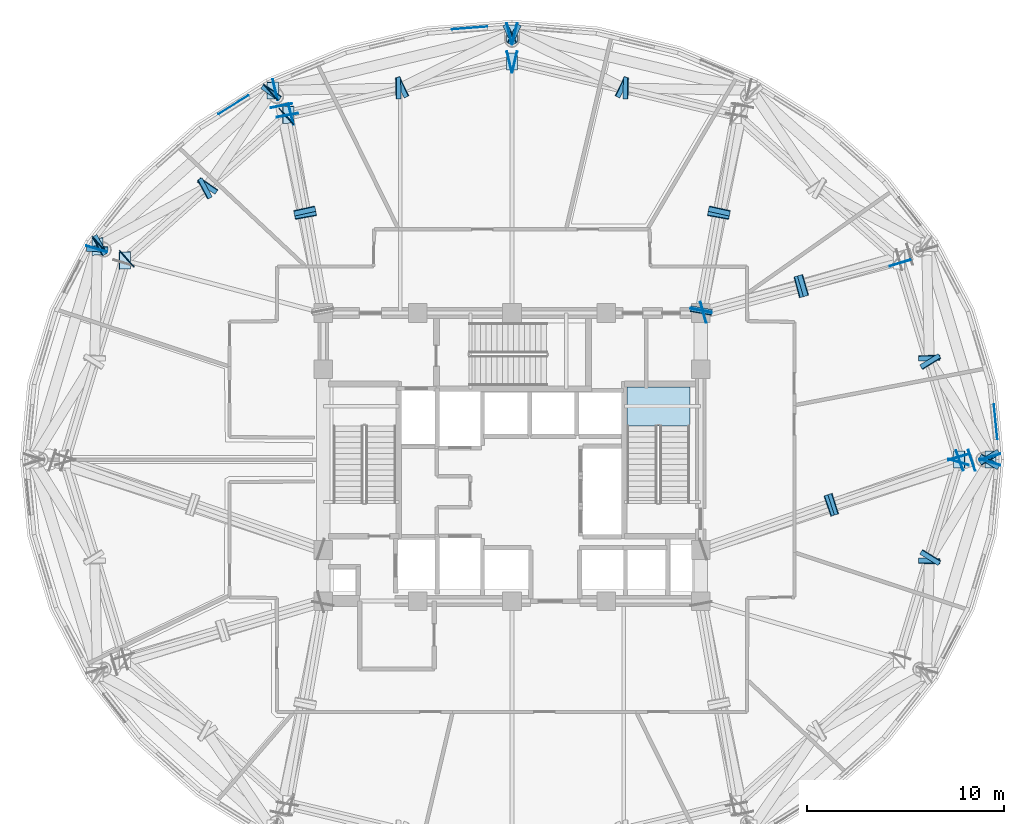
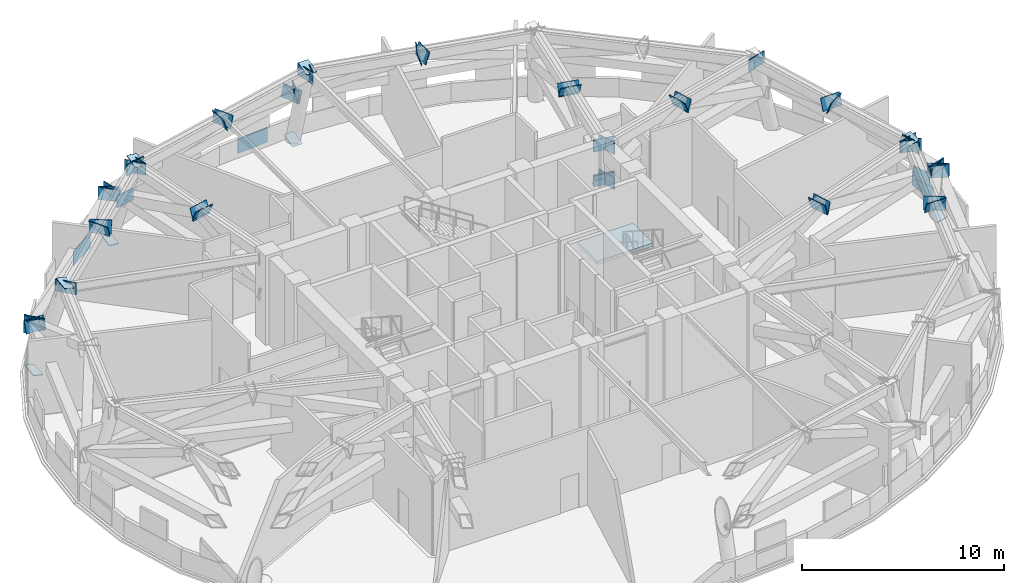
# One storey, part 5 of 13: 61 plates, 1 slab, 1 element without a shape of its own.
"""IFC4 building model written with IfcOpenShell, lengths in metres."""

import ifcopenshell
import ifcopenshell.guid

model = None  # the IFC model being written
_history = None  # IfcOwnerHistory: only IFC2X3 demands one
_inside = {}  # id of a spatial element -> (the spatial element, [elements in it])
_under = {}  # id of a project, library or spatial element -> (it, [spatial elements below it])
_declared = {}  # id of a project -> (the project, [libraries it declares])
_typed = {}  # id of a type object -> (the type object, [elements of that type])
_made_of = {}  # id of a material, layer set ... -> (it, [elements and type objects made of it])


def new_model(schema):
    """Start an empty IFC model of exactly this schema.

    Asked for "IFC4X3", IfcOpenShell would pick the latest addendum, in which some entities
    have other attributes; the version numbers below select the first issue.
    IFC2X3 requires an IfcOwnerHistory on every rooted entity: one is made here for all.
    """
    global model, _history
    if schema == "IFC4X3":
        model = ifcopenshell.file(schema_version=(4, 3, 0, 0))
    else:
        model = ifcopenshell.file(schema=schema)
    _inside.clear()
    _under.clear()
    _declared.clear()
    _typed.clear()
    _made_of.clear()
    _history = None
    if model.schema == "IFC2X3":
        org = make("IfcOrganization", Name="unknown")
        user = make(
            "IfcPersonAndOrganization",
            ThePerson=make("IfcPerson", FamilyName="unknown"),
            TheOrganization=org,
        )
        app = make(
            "IfcApplication",
            ApplicationDeveloper=org,
            Version="unknown",
            ApplicationFullName="unknown",
            ApplicationIdentifier="unknown",
        )
        _history = make(
            "IfcOwnerHistory",
            OwningUser=user,
            OwningApplication=app,
            ChangeAction="ADDED",
            CreationDate=0,
        )
    return model


def make(cls, **values):
    """One entity of the class cls with the attributes given. An attribute that is None is left unset."""
    return model.create_entity(
        cls, **{name: value for name, value in values.items() if value is not None}
    )


def rooted(cls, **values):
    """An entity with a GlobalId (a new one), such as an element, a storey or a relation."""
    return make(cls, GlobalId=ifcopenshell.guid.new(), OwnerHistory=_history, **values)


def si_unit(unit_type, name, prefix=None):
    """IfcSIUnit, for example si_unit("LENGTHUNIT", "METRE", prefix="MILLI")."""
    return make("IfcSIUnit", UnitType=unit_type, Prefix=prefix, Name=name)


def assignment(units):
    """IfcUnitAssignment: the units of a project."""
    return None if units is None else make("IfcUnitAssignment", Units=units)


def point(xyz):
    """IfcCartesianPoint."""
    return None if xyz is None else make("IfcCartesianPoint", Coordinates=xyz)


def direction(xyz):
    """IfcDirection."""
    return None if xyz is None else make("IfcDirection", DirectionRatios=xyz)


def frame(location, z_axis=None, x_axis=None):
    """IfcAxis2Placement3D, a coordinate frame: its origin and axes. An axis left out is left unset."""
    return make(
        "IfcAxis2Placement3D",
        Location=point(location),
        Axis=direction(z_axis),
        RefDirection=direction(x_axis),
    )


def frame_2d(location, x_axis=None):
    """IfcAxis2Placement2D, a coordinate frame in the plane: its origin and x axis."""
    return make(
        "IfcAxis2Placement2D", Location=point(location), RefDirection=direction(x_axis)
    )


def origin():
    """The frame at (0, 0, 0) with its axes left unset."""
    return frame((0.0, 0.0, 0.0))


def origin_2d():
    """The frame at (0, 0) in the plane with its x axis left unset."""
    return frame_2d((0.0, 0.0))


def place(relative_to, where):
    """IfcLocalPlacement: puts the frame where relative to a parent placement (None: the world)."""
    return make(
        "IfcLocalPlacement", PlacementRelTo=relative_to, RelativePlacement=where
    )


def context(
    kind, dimensions, precision=None, world=None, true_north=None, identifier=None
):
    """IfcGeometricRepresentationContext, for example the 3D "Model" context."""
    return make(
        "IfcGeometricRepresentationContext",
        ContextIdentifier=identifier,
        ContextType=kind,
        CoordinateSpaceDimension=dimensions,
        Precision=precision,
        WorldCoordinateSystem=world,
        TrueNorth=true_north,
    )


def subcontext(parent, identifier, kind, view, scale=None):
    """IfcGeometricRepresentationSubContext, for example "Body" below "Model"."""
    return make(
        "IfcGeometricRepresentationSubContext",
        ContextIdentifier=identifier,
        ContextType=kind,
        ParentContext=parent,
        TargetScale=scale,
        TargetView=view,
    )


def project(units=None, contexts=None):
    """IfcProject with its units and contexts."""
    return rooted(
        "IfcProject",
        Name="project",
        RepresentationContexts=contexts,
        UnitsInContext=assignment(units),
    )


def spatial(cls, under=None, at=None, **own):
    """A site, building, storey or space (cls), placed at a placement, below another one or the project."""
    s = rooted(cls, ObjectPlacement=at, **own)
    if under is not None:
        _under.setdefault(under.id(), (under, []))[1].append(s)
    return s


def polyline(points):
    """IfcPolyline through the points."""
    return make("IfcPolyline", Points=[point(p) for p in points])


def profile(cls, at=None, kind="AREA", **sizes):
    """A parametric profile (cls). Its sizes go by their IFC names, for example OverallWidth=200.0."""
    return make(cls, ProfileType=kind, Position=at, **sizes)


def rectangle(**sizes):
    """IfcRectangleProfileDef."""
    return profile("IfcRectangleProfileDef", **sizes)


def outline(outer, holes=None, kind="AREA"):
    """IfcArbitraryClosedProfileDef: a profile drawn as a closed curve; with holes, ...WithVoids."""
    if holes is None:
        return make("IfcArbitraryClosedProfileDef", ProfileType=kind, OuterCurve=outer)
    return make(
        "IfcArbitraryProfileDefWithVoids",
        ProfileType=kind,
        OuterCurve=outer,
        InnerCurves=holes,
    )


def extrude(swept, where, along, depth):
    """IfcExtrudedAreaSolid: the profile swept, set in the frame where, extruded along a direction by depth."""
    return make(
        "IfcExtrudedAreaSolid",
        SweptArea=swept,
        Position=where,
        ExtrudedDirection=direction(along),
        Depth=depth,
    )


def shape(context_of_items, identifier, shape_type, items):
    """IfcShapeRepresentation: the items that make up one representation, for example the "Body"."""
    return make(
        "IfcShapeRepresentation",
        ContextOfItems=context_of_items,
        RepresentationIdentifier=identifier,
        RepresentationType=shape_type,
        Items=items,
    )


def material(Name=None, Category=None):
    """IfcMaterial."""
    return make("IfcMaterial", Name=Name, Category=Category)


def layer(
    of_material, thickness, ventilated=None, Name=None, Category=None, Priority=None
):
    """IfcMaterialLayer: one layer of a wall or slab, of a material (None: an air gap)."""
    return make(
        "IfcMaterialLayer",
        Material=of_material,
        LayerThickness=thickness,
        IsVentilated=ventilated,
        Name=Name,
        Category=Category,
        Priority=Priority,
    )


def layer_set(layers, Name=None):
    """IfcMaterialLayerSet."""
    return make("IfcMaterialLayerSet", MaterialLayers=layers, LayerSetName=Name)


def made_of(thing, what):
    """Note that an element or type object is made of a material, layer set ...; save() writes the relation."""
    if what is not None:
        _made_of.setdefault(what.id(), (what, []))[1].append(thing)
    return thing


def type_object(cls, material=None, **own):
    """A type object (cls), such as IfcWallType, which elements share."""
    return made_of(rooted(cls, **own), material)


def element(
    cls,
    number,
    at=None,
    inside=None,
    cuts=None,
    type_object=None,
    material=None,
    context=None,
    identifier="Body",
    shape_type=None,
    held_by="IfcProductDefinitionShape",
    body=None,
    shapes=None,
    **own,
):
    """One element of the class cls, such as IfcWall. Its Tag is "e" and its number.

    at: its placement. inside: the storey or other place that contains it. cuts: it is an
    opening in that element (IfcRelVoidsElement). A single representation is given by context,
    identifier, shape_type and body (its items); several are given by shapes. held_by: the class
    of the entity that holds the representations. save() writes the other relations.
    """
    e = rooted(cls, Tag="e%d" % number, ObjectPlacement=at, **own)
    if body is not None:
        shapes = [shape(context, identifier, shape_type, body)]
    if shapes is not None:
        e.Representation = make(held_by, Representations=shapes)
    if inside is not None:
        _inside.setdefault(inside.id(), (inside, []))[1].append(e)
    if cuts is not None:
        rooted(
            "IfcRelVoidsElement", RelatingBuildingElement=cuts, RelatedOpeningElement=e
        )
    if type_object is not None:
        _typed.setdefault(type_object.id(), (type_object, []))[1].append(e)
    return made_of(e, material)


def aggregate(whole, parts):
    """IfcRelAggregates: a whole, such as a stair, and the parts it consists of."""
    return rooted("IfcRelAggregates", RelatingObject=whole, RelatedObjects=parts)


def save(model, path):
    """Write the relations noted so far, then the file.

    IfcRelAggregates (storeys below a building ...), IfcRelContainedInSpatialStructure (elements
    in a storey), IfcRelDefinesByType, IfcRelAssociatesMaterial and IfcRelDeclares: one each for
    every whole, place, type object, material and project.
    """
    for whole, parts in _under.values():
        aggregate(whole, parts)
    for where, things in _inside.values():
        rooted(
            "IfcRelContainedInSpatialStructure",
            RelatedElements=things,
            RelatingStructure=where,
        )
    for kind, things in _typed.values():
        rooted("IfcRelDefinesByType", RelatedObjects=things, RelatingType=kind)
    for what, things in _made_of.values():
        rooted("IfcRelAssociatesMaterial", RelatedObjects=things, RelatingMaterial=what)
    for by, libraries in _declared.values():
        rooted("IfcRelDeclares", RelatingContext=by, RelatedDefinitions=libraries)
    model.write(path)


model = new_model("IFC4")

# Units and contexts
model_context = context("Model", 3, precision=1e-05, world=origin(), true_north=direction((0.0, 1.0)))
body_context = subcontext(model_context, "Body", "Model", "MODEL_VIEW")
ifc_project = project(units=[si_unit("LENGTHUNIT", "METRE"), si_unit("AREAUNIT", "SQUARE_METRE"), si_unit("VOLUMEUNIT", "CUBIC_METRE"), si_unit("PLANEANGLEUNIT", "RADIAN"), si_unit("MASSUNIT", "GRAM", prefix="KILO")], contexts=[model_context])

# Site, building, storey
site_placement = place(None, origin())
site = spatial("IfcSite", under=ifc_project, at=site_placement, CompositionType="ELEMENT")
building_placement = place(site_placement, origin())
building = spatial("IfcBuilding", under=site, at=building_placement, Name="Vantalir Tower", CompositionType="ELEMENT")
storey_placement = place(building_placement, frame((0.0, 0.0, 175.949951171875)))
storey = spatial("IfcBuildingStorey", under=building, at=storey_placement, Name="L44", CompositionType="ELEMENT", Elevation=175.949951171875)

# Plates
ifc_material_1 = material(Name="Steel S460", Category="steel")
ifc_layer_1 = layer(ifc_material_1, 0.044921875)
ifc_layer_set_1 = layer_set([ifc_layer_1], Name="Steel S460")
plate_type_1 = type_object("IfcPlateType", Name="PLT-BN-01", PredefinedType="USERDEFINED", material=ifc_layer_set_1)
for number, where, z_axis, x_axis, name in (
    (1, (55.81103515625, 25.12890625, 2.4599609375), (0.0, 0.0, 1.0), (-0.28812941634, 0.957591478366, 0.0), "Node Cap Plate MEM-L44-BTCB-01 Start"),
    (2, (54.2109375, 25.12890625, 4.56005859375), (0.0, 0.0, 1.0), (-0.288212980863, 0.957566330685, 0.0), "Node Cap Plate MEM-L44-BTCT-01 Start"),
    (3, (51.240966796875, 34.998046875, 4.56005859375), (0.0, 0.0, 1.0), (-0.288212980863, 0.957566330685, 0.0), "Node Cap Plate MEM-L44-BTCT-01 End"),
):
    element("IfcPlate", number, at=place(storey_placement, frame(where, z_axis=z_axis, x_axis=x_axis)), inside=storey, type_object=plate_type_1, Name=name, ObjectType="FLANGE_PLATE", PredefinedType="USERDEFINED", context=body_context, shape_type="SweptSolid", body=[
        extrude(rectangle(XDim=0.044921875, YDim=1.10009765625, at=origin_2d()), origin(), (0.0, 0.0, 1.0), 0.719970703125),
    ])
plate_1_placement = place(storey_placement, frame((56.177001953125, 25.517578125, 2.533203125), z_axis=(-0.495188348864, 0.802535808842, 0.332753324064), x_axis=(-0.851036235022, -0.525106966574, -1.8283502e-05)))
element("IfcPlate", 4, at=plate_1_placement, inside=storey, type_object=plate_type_1, Name="Node Cap Plate MEM-L44-BTDG-01A Start", ObjectType="FLANGE_PLATE", PredefinedType="USERDEFINED", context=body_context, shape_type="SweptSolid", body=[
    extrude(outline(polyline([(0.0, 0.0), (1.1001286729065263, -5.551115123125783e-17), (1.0999525921931022, 0.7200054904000449), (3.1691804891720215e-05, 0.7199628350251789), (0.0, 0.0)])), origin(), (0.0, 0.0, -1.0), 0.044921875),
])
plate_2_placement = place(storey_placement, frame((53.17236328125, 30.3876953125, 4.552978515625), z_axis=(-0.495056684351, 0.802596653767, 0.332802479922), x_axis=(-0.851107533631, -0.524991395471, 2.9638108e-05)))
element("IfcPlate", 5, at=plate_2_placement, inside=storey, type_object=plate_type_1, Name="Node Cap Plate MEM-L44-BTDG-01A End", ObjectType="FLANGE_PLATE", PredefinedType="USERDEFINED", context=body_context, shape_type="SweptSolid", body=[
    extrude(outline(polyline([(0.0, 0.0), (1.100128670204653, 2.7755575615628914e-17), (1.1001603740561126, 0.7199628308960906), (0.0001598755788691206, 0.720031980316337), (0.0, 0.0)])), origin(), (0.0, 0.0, -1.0), 0.044921875),
])
plate_3_placement = place(storey_placement, frame((52.17724609375, 30.00537109375, 4.553466796875), z_axis=(0.022529450155, -0.939561513886, 0.341638091406), x_axis=(0.999712635233, 0.023971794983, 0.0)))
element("IfcPlate", 6, at=plate_3_placement, inside=storey, type_object=plate_type_1, Name="Node Cap Plate MEM-L44-BTDG-01B End", ObjectType="FLANGE_PLATE", PredefinedType="USERDEFINED", context=body_context, shape_type="SweptSolid", body=[
    extrude(outline(polyline([(0.0, 0.0), (1.0999254548216215, 1.734723475976807e-18), (1.0999612200322357, 0.7198243602851153), (3.57652106143299e-05, 0.7198243602851153), (0.0, 0.0)])), origin(), (0.0, 0.0, -1.0), 0.044921875),
])
for number, where, z_axis, x_axis, name in (
    (7, (31.631103515625, 46.65087890625, 2.4599609375), (0.0, 0.0, 1.0), (-0.972694923667, 0.232087452208, 0.0), "Node Cap Plate MEM-L44-BTCB-03 End"),
    (8, (31.631103515625, 45.222900390625, 4.56005859375), (0.0, 0.0, 1.0), (-0.972694923667, 0.232087452208, 0.0), "Node Cap Plate MEM-L44-BTCT-03 End"),
):
    element("IfcPlate", number, at=place(storey_placement, frame(where, z_axis=z_axis, x_axis=x_axis)), inside=storey, type_object=plate_type_1, Name=name, ObjectType="FLANGE_PLATE", PredefinedType="USERDEFINED", context=body_context, shape_type="SweptSolid", body=[
        extrude(rectangle(XDim=0.044921875, YDim=1.10009765625, at=origin_2d()), origin(), (0.0, 0.0, 1.0), 0.719970703125),
    ])
plate_4_placement = place(storey_placement, frame((37.165771484375, 44.447509765625, 4.552001953125), z_axis=(-0.951249757487, 0.017525800193, 0.307923278119), x_axis=(-0.018420847216, -0.999830321799, 0.0)))
element("IfcPlate", 9, at=plate_4_placement, inside=storey, type_object=plate_type_1, Name="Node Cap Plate MEM-L44-BTDG-03A End", ObjectType="FLANGE_PLATE", PredefinedType="USERDEFINED", context=body_context, shape_type="SweptSolid", body=[
    extrude(outline(polyline([(0.0, 0.0), (1.1000401684622838, 8.673617379884035e-19), (1.10010632720208, 0.7200447083939903), (6.615873979627911e-05, 0.7200447083939903), (0.0, 0.0)])), origin(), (0.0, 0.0, -1.0), 0.044921875),
])
plate_5_placement = place(storey_placement, frame((31.49462890625, 46.072265625, 2.528076171875), z_axis=(0.85245090665, -0.417430241326, 0.314768876125), x_axis=(0.439780725285, 0.898105179496, 1.5197871e-05)))
element("IfcPlate", 10, at=plate_5_placement, inside=storey, type_object=plate_type_1, Name="Node Cap Plate MEM-L44-BTDG-03B Start", ObjectType="FLANGE_PLATE", PredefinedType="USERDEFINED", context=body_context, shape_type="SweptSolid", body=[
    extrude(outline(polyline([(0.0, 0.0), (1.0998386652902303, 0.0), (1.100090182158179, 0.7199280203558638), (-7.511543302310998e-05, 0.719963246325796), (0.0, 0.0)])), origin(), (0.0, 0.0, -1.0), 0.044921875),
])
plate_6_placement = place(storey_placement, frame((36.9765625, 43.387939453125, 4.55224609375), z_axis=(0.8524505382, -0.417481646427, 0.314701691794), x_axis=(0.439837951406, 0.898077154601, -2.9771927e-05)))
element("IfcPlate", 11, at=plate_6_placement, inside=storey, type_object=plate_type_1, Name="Node Cap Plate MEM-L44-BTDG-03B End", ObjectType="FLANGE_PLATE", PredefinedType="USERDEFINED", context=body_context, shape_type="SweptSolid", body=[
    extrude(outline(polyline([(0.0, 0.0), (1.0999460417976532, 0.0), (1.0998257527306279, 0.7199632346339168), (-1.2906754670210561e-05, 0.7198942370824807), (0.0, 0.0)])), origin(), (0.0, 0.0, -1.0), 0.044921875),
])
for number, where, z_axis, x_axis, name in (
    (12, (31.368896484375, 46.65087890625, 2.4599609375), (0.0, 0.0, 1.0), (-0.972694923667, -0.232087452208, 0.0), "Node Cap Plate MEM-L44-BTCB-04 Start"),
    (13, (19.4560546875, 43.80810546875, 2.4599609375), (0.0, 0.0, 1.0), (-0.972694923667, -0.232087452208, 0.0), "Node Cap Plate MEM-L44-BTCB-04 End"),
    (14, (31.368896484375, 45.222900390625, 4.56005859375), (0.0, 0.0, 1.0), (-0.972694923667, -0.232087452208, 0.0), "Node Cap Plate MEM-L44-BTCT-04 Start"),
    (15, (20.256103515625, 42.571044921875, 4.56005859375), (0.0, 0.0, 1.0), (-0.972694923667, -0.232087452208, 0.0), "Node Cap Plate MEM-L44-BTCT-04 End"),
):
    element("IfcPlate", number, at=place(storey_placement, frame(where, z_axis=z_axis, x_axis=x_axis)), inside=storey, type_object=plate_type_1, Name=name, ObjectType="FLANGE_PLATE", PredefinedType="USERDEFINED", context=body_context, shape_type="SweptSolid", body=[
        extrude(rectangle(XDim=0.044921875, YDim=1.10009765625, at=origin_2d()), origin(), (0.0, 0.0, 1.0), 0.719970703125),
    ])
plate_7_placement = place(storey_placement, frame((31.021728515625, 47.06005859375, 2.528076171875), z_axis=(-0.85245090665, -0.417430241326, 0.314768876125), x_axis=(0.439780725285, -0.898105179496, -1.5197871e-05)))
element("IfcPlate", 16, at=plate_7_placement, inside=storey, type_object=plate_type_1, Name="Node Cap Plate MEM-L44-BTDG-04A Start", ObjectType="FLANGE_PLATE", PredefinedType="USERDEFINED", context=body_context, shape_type="SweptSolid", body=[
    extrude(outline(polyline([(0.0, 0.0), (1.0998386652902303, 0.0), (1.0999137807232535, 0.7199632463257959), (-0.0002515168679487558, 0.7199280203558638), (0.0, 0.0)])), origin(), (0.0, 0.0, -1.0), 0.044921875),
])
plate_8_placement = place(storey_placement, frame((25.53955078125, 44.375732421875, 4.55224609375), z_axis=(-0.8524505382, -0.417481646427, 0.314701691794), x_axis=(0.439837951406, -0.898077154601, 2.9771927e-05)))
element("IfcPlate", 17, at=plate_8_placement, inside=storey, type_object=plate_type_1, Name="Node Cap Plate MEM-L44-BTDG-04A End", ObjectType="FLANGE_PLATE", PredefinedType="USERDEFINED", context=body_context, shape_type="SweptSolid", body=[
    extrude(outline(polyline([(0.0, 0.0), (1.0999460417976532, 0.0), (1.0999589485523236, 0.7198942370824807), (0.00012028906702524438, 0.7199632346339168), (0.0, 0.0)])), origin(), (0.0, 0.0, -1.0), 0.044921875),
])
plate_9_placement = place(storey_placement, frame((25.8544921875, 43.34765625, 4.552001953125), z_axis=(0.951249757487, 0.017525800193, 0.307923278119), x_axis=(-0.018420847216, 0.999830321799, 0.0)))
element("IfcPlate", 18, at=plate_9_placement, inside=storey, type_object=plate_type_1, Name="Node Cap Plate MEM-L44-BTDG-04B End", ObjectType="FLANGE_PLATE", PredefinedType="USERDEFINED", context=body_context, shape_type="SweptSolid", body=[
    extrude(outline(polyline([(0.0, 0.0), (1.1000401684622838, -8.673617379884035e-19), (1.0999740097224875, 0.7200447083939903), (-6.615873979627911e-05, 0.7200447083939903), (0.0, 0.0)])), origin(), (0.0, 0.0, -1.0), 0.044921875),
])
for number, where, z_axis, x_axis, name in (
    (19, (19.22412109375, 43.68701171875, 2.4599609375), (0.0, 0.0, 1.0), (-0.746858739968, -0.664982723485, 0.0), "Node Cap Plate MEM-L44-BTCB-05 Start"),
    (20, (10.512939453125, 35.930908203125, 2.4599609375), (0.0, 0.0, 1.0), (-0.746858739968, -0.664982723485, 0.0), "Node Cap Plate MEM-L44-BTCB-05 End"),
    (21, (20.02392578125, 42.449951171875, 4.56005859375), (0.0, 0.0, 1.0), (-0.7469051627, -0.664930581288, 0.0), "Node Cap Plate MEM-L44-BTCT-05 Start"),
    (22, (11.89892578125, 35.217041015625, 4.56005859375), (0.0, 0.0, 1.0), (-0.7469051627, -0.664930581288, 0.0), "Node Cap Plate MEM-L44-BTCT-05 End"),
):
    element("IfcPlate", number, at=place(storey_placement, frame(where, z_axis=z_axis, x_axis=x_axis)), inside=storey, type_object=plate_type_1, Name=name, ObjectType="FLANGE_PLATE", PredefinedType="USERDEFINED", context=body_context, shape_type="SweptSolid", body=[
        extrude(rectangle(XDim=0.044921875, YDim=1.10009765625, at=origin_2d()), origin(), (0.0, 0.0, 1.0), 0.719970703125),
    ])
plate_10_placement = place(storey_placement, frame((18.71923828125, 43.864501953125, 2.53271484375), z_axis=(-0.530779378566, -0.780095949954, 0.331245468128), x_axis=(0.826777325998, -0.562529334696, 2.8678365e-05)))
element("IfcPlate", 23, at=plate_10_placement, inside=storey, type_object=plate_type_1, Name="Node Cap Plate MEM-L44-BTDG-05A Start", ObjectType="FLANGE_PLATE", PredefinedType="USERDEFINED", context=body_context, shape_type="SweptSolid", body=[
    extrude(outline(polyline([(0.0, 0.0), (1.099901092153654, -2.7755575615628914e-17), (1.1001076761597994, 0.7200632591679851), (6.92477427918408e-05, 0.7201301247598484), (0.0, 0.0)])), origin(), (0.0, 0.0, -1.0), 0.044921875),
])
plate_11_placement = place(storey_placement, frame((15.483642578125, 39.10888671875, 4.552978515625), z_axis=(-0.530662207426, -0.780077633252, 0.331476255123), x_axis=(0.826823276387, -0.562461793924, 0.0)))
element("IfcPlate", 24, at=plate_11_placement, inside=storey, type_object=plate_type_1, Name="Node Cap Plate MEM-L44-BTDG-05A End", ObjectType="FLANGE_PLATE", PredefinedType="USERDEFINED", context=body_context, shape_type="SweptSolid", body=[
    extrude(outline(polyline([(0.0, 0.0), (1.0999010962758868, -5.551115123125783e-17), (1.099970352262885, 0.7198997887243855), (6.925598699818042e-05, 0.7198997887243856), (0.0, 0.0)])), origin(), (0.0, 0.0, -1.0), 0.044921875),
])
plate_12_placement = place(storey_placement, frame((10.905029296875, 35.48193359375, 2.5283203125), z_axis=(0.835172745071, 0.450226759698, 0.315883444869), x_axis=(-0.474523300623, 0.880242942128, 0.0)))
element("IfcPlate", 25, at=plate_12_placement, inside=storey, type_object=plate_type_1, Name="Node Cap Plate MEM-L44-BTDG-05B Start", ObjectType="FLANGE_PLATE", PredefinedType="USERDEFINED", context=body_context, shape_type="SweptSolid", body=[
    extrude(outline(polyline([(0.0, 0.0), (1.0999937317409516, -2.7755575615628914e-17), (1.1000039187746542, 0.7199693370562761), (1.0187033702493964e-05, 0.7199693370562762), (0.0, 0.0)])), origin(), (0.0, 0.0, -1.0), 0.044921875),
])
plate_13_placement = place(storey_placement, frame((16.25341796875, 38.365966796875, 4.55224609375), z_axis=(0.835084781028, 0.450389900811, 0.315883436955), x_axis=(-0.474695244348, 0.880150228651, 0.0)))
element("IfcPlate", 26, at=plate_13_placement, inside=storey, type_object=plate_type_1, Name="Node Cap Plate MEM-L44-BTDG-05B End", ObjectType="FLANGE_PLATE", PredefinedType="USERDEFINED", context=body_context, shape_type="SweptSolid", body=[
    extrude(outline(polyline([(0.0, 0.0), (1.1001096031464725, -2.7755575615628914e-17), (1.1001642172337978, 0.7199693350569388), (5.4614087325252636e-05, 0.7199693350569389), (0.0, 0.0)])), origin(), (0.0, 0.0, -1.0), 0.044921875),
])
plate_14_placement = place(storey_placement, frame((10.373046875, 35.7119140625, 2.4599609375), z_axis=(0.0, 0.0, 1.0), x_axis=(-0.28812941634, -0.957591478366, 0.0)))
element("IfcPlate", 27, at=plate_14_placement, inside=storey, type_object=plate_type_1, Name="Node Cap Plate MEM-L44-BTCB-06 Start", ObjectType="FLANGE_PLATE", PredefinedType="USERDEFINED", context=body_context, shape_type="SweptSolid", body=[
    extrude(rectangle(XDim=0.044921875, YDim=1.10009765625, at=origin_2d()), origin(), (0.0, 0.0, 1.0), 0.719970703125),
])
plate_15_placement = place(storey_placement, frame((9.855712890625, 35.582763671875, 2.53564453125), z_axis=(-0.022530398659, -0.939601070003, 0.341529223326), x_axis=(0.999712635233, -0.023971794983, 0.0)))
element("IfcPlate", 28, at=plate_15_placement, inside=storey, type_object=plate_type_1, Name="Node Cap Plate MEM-L44-BTDG-06A Start", ObjectType="FLANGE_PLATE", PredefinedType="USERDEFINED", context=body_context, shape_type="SweptSolid", body=[
    extrude(outline(polyline([(0.0, 0.0), (1.0999254548216215, 0.0), (1.099889689611007, 0.7200538161872801), (-3.5765210614329966e-05, 0.7200538161872801), (0.0, 0.0)])), origin(), (0.0, 0.0, -1.0), 0.044921875),
])
for number, where, z_axis, x_axis, name in (
    (29, (55.81103515625, 24.87109375, 2.4599609375), (0.0, 0.0, 1.0), (0.28812941634, 0.957591478366, 0.0), "Node Cap Plate MEM-L44-BTCB-12 End"),
    (30, (54.2109375, 24.87109375, 4.56005859375), (0.0, 0.0, 1.0), (0.288212980863, 0.957566330685, 0.0), "Node Cap Plate MEM-L44-BTCT-12 End"),
):
    element("IfcPlate", number, at=place(storey_placement, frame(where, z_axis=z_axis, x_axis=x_axis)), inside=storey, type_object=plate_type_1, Name=name, ObjectType="FLANGE_PLATE", PredefinedType="USERDEFINED", context=body_context, shape_type="SweptSolid", body=[
        extrude(rectangle(XDim=0.044921875, YDim=1.10009765625, at=origin_2d()), origin(), (0.0, 0.0, 1.0), 0.719970703125),
    ])
plate_16_placement = place(storey_placement, frame((53.27685546875, 19.96826171875, 4.553466796875), z_axis=(0.022529450155, 0.939561513886, 0.341638091406), x_axis=(-0.999712635233, 0.023971794983, 0.0)))
element("IfcPlate", 31, at=plate_16_placement, inside=storey, type_object=plate_type_1, Name="Node Cap Plate MEM-L44-BTDG-12A End", ObjectType="FLANGE_PLATE", PredefinedType="USERDEFINED", context=body_context, shape_type="SweptSolid", body=[
    extrude(outline(polyline([(0.0, 0.0), (1.0999254548216215, -1.734723475976807e-18), (1.099889689611007, 0.7198243602851153), (-3.57652106143299e-05, 0.7198243602851153), (0.0, 0.0)])), origin(), (0.0, 0.0, -1.0), 0.044921875),
])
plate_17_placement = place(storey_placement, frame((55.24072265625, 25.06005859375, 2.533203125), z_axis=(-0.495188348864, -0.802535808842, 0.332753324064), x_axis=(0.851036235022, -0.525106966574, 1.8283502e-05)))
element("IfcPlate", 32, at=plate_17_placement, inside=storey, type_object=plate_type_1, Name="Node Cap Plate MEM-L44-BTDG-12B Start", ObjectType="FLANGE_PLATE", PredefinedType="USERDEFINED", context=body_context, shape_type="SweptSolid", body=[
    extrude(outline(polyline([(0.0, 0.0), (1.1001286729065263, 5.551115123125783e-17), (1.1000969811016346, 0.719962835025179), (0.0001760807134242621, 0.720005490400045), (0.0, 0.0)])), origin(), (0.0, 0.0, -1.0), 0.044921875),
])
plate_18_placement = place(storey_placement, frame((52.236083984375, 20.18994140625, 4.552978515625), z_axis=(-0.495056684351, -0.802596653767, 0.332802479922), x_axis=(0.851107533631, -0.524991395471, -2.9638108e-05)))
element("IfcPlate", 33, at=plate_18_placement, inside=storey, type_object=plate_type_1, Name="Node Cap Plate MEM-L44-BTDG-12B End", ObjectType="FLANGE_PLATE", PredefinedType="USERDEFINED", context=body_context, shape_type="SweptSolid", body=[
    extrude(outline(polyline([(0.0, 0.0), (1.100128670204653, -2.7755575615628914e-17), (1.099968794625784, 0.720031980316337), (-3.17038514592974e-05, 0.7199628308960906), (0.0, 0.0)])), origin(), (0.0, 0.0, -1.0), 0.044921875),
])
for number, where, z_axis, x_axis, name in (
    (34, (54.885986328125, 24.9580078125, 2.4599609375), (0.0, 0.0, 1.0), (0.949463831971, 0.31387645942, 0.0), "Node Cap Plate MEM-L44-ORCB-01 End"),
    (35, (54.264892578125, 24.9560546875, 4.56005859375), (0.0, 0.0, 1.0), (0.945011716069, 0.327036475782, 0.0), "Node Cap Plate MEM-L44-ORCT-01 End"),
):
    element("IfcPlate", number, at=place(storey_placement, frame(where, z_axis=z_axis, x_axis=x_axis)), inside=storey, type_object=plate_type_1, Name=name, ObjectType="FLANGE_PLATE", PredefinedType="USERDEFINED", context=body_context, shape_type="SweptSolid", body=[
        extrude(rectangle(XDim=0.044921875, YDim=1.10009765625, at=origin_2d()), origin(), (0.0, 0.0, 1.0), 0.719970703125),
    ])
plate_19_placement = place(storey_placement, frame((47.9482421875, 22.18798828125, 4.55126953125), z_axis=(0.905502724594, 0.313353279636, 0.28613727107), x_axis=(-0.327034826016, 0.945012286558, 2.8750905e-05)))
element("IfcPlate", 36, at=plate_19_placement, inside=storey, type_object=plate_type_1, Name="Node Cap Plate MEM-L44-ORDG-01A End", ObjectType="FLANGE_PLATE", PredefinedType="USERDEFINED", context=body_context, shape_type="SweptSolid", body=[
    extrude(outline(polyline([(0.0, 0.0), (1.1000760863556283, 2.7755575615628914e-17), (1.1000527990761528, 0.7200145703536042), (5.6555207345024996e-05, 0.7200805845693299), (0.0, 0.0)])), origin(), (0.0, 0.0, -1.0), 0.044921875),
])
plate_20_placement = place(storey_placement, frame((47.5654296875, 23.2197265625, 4.551025390625), z_axis=(-0.919182845597, -0.290882001534, 0.265500579177), x_axis=(0.301703057951, -0.953401942567, -2.7080873e-05)))
element("IfcPlate", 37, at=plate_20_placement, inside=storey, type_object=plate_type_1, Name="Node Cap Plate MEM-L44-ORDG-01B Start", ObjectType="FLANGE_PLATE", PredefinedType="USERDEFINED", context=body_context, shape_type="SweptSolid", body=[
    extrude(outline(polyline([(0.0, 0.0), (1.1000559572805766, 0.0), (1.10012732811094, 0.7199604665030602), (-2.287142769285347e-06, 0.7198986655642715), (0.0, 0.0)])), origin(), (0.0, 0.0, -1.0), 0.044921875),
])
for number, where, z_axis, x_axis, name in (
    (38, (41.22998046875, 32.486083984375, 2.4599609375), (0.0, 0.0, 1.0), (0.962866291826, 0.269978710392, 0.0), "Node Cap Plate MEM-L44-ORCB-02 Start"),
    (39, (41.22998046875, 32.485107421875, 4.56005859375), (0.0, 0.0, 1.0), (0.965912273231, 0.258869620506, 0.0), "Node Cap Plate MEM-L44-ORCT-02 Start"),
):
    element("IfcPlate", number, at=place(storey_placement, frame(where, z_axis=z_axis, x_axis=x_axis)), inside=storey, type_object=plate_type_1, Name=name, ObjectType="FLANGE_PLATE", PredefinedType="USERDEFINED", context=body_context, shape_type="SweptSolid", body=[
        extrude(rectangle(XDim=0.044921875, YDim=1.10009765625, at=origin_2d()), origin(), (0.0, 0.0, 1.0), 0.719970703125),
    ])
plate_21_placement = place(storey_placement, frame((46.40869140625, 33.303466796875, 4.554931640625), z_axis=(0.897799928402, 0.240644213346, 0.368843667621), x_axis=(-0.258884706785, 0.965908229203, -3.674935e-05)))
element("IfcPlate", 40, at=plate_21_placement, inside=storey, type_object=plate_type_1, Name="Node Cap Plate MEM-L44-ORDG-02A End", ObjectType="FLANGE_PLATE", PredefinedType="USERDEFINED", context=body_context, shape_type="SweptSolid", body=[
    extrude(outline(polyline([(0.0, 0.0), (1.0999736771492528, 0.0), (1.0998762592359608, 0.7199957310061943), (-0.00016062218740936073, 0.7199087490781271), (0.0, 0.0)])), origin(), (0.0, 0.0, -1.0), 0.044921875),
])
plate_22_placement = place(storey_placement, frame((46.017578125, 34.336181640625, 4.552978515625), z_axis=(-0.904258958485, -0.263615893342, 0.335890453536), x_axis=(0.279879781493, -0.960035055513, 9.827357e-06)))
element("IfcPlate", 41, at=plate_22_placement, inside=storey, type_object=plate_type_1, Name="Node Cap Plate MEM-L44-ORDG-02B Start", ObjectType="FLANGE_PLATE", PredefinedType="USERDEFINED", context=body_context, shape_type="SweptSolid", body=[
    extrude(outline(polyline([(0.0, 0.0), (1.0998730516500637, 0.0), (1.0999373246533244, 0.7200457425835766), (-0.0001701105552142503, 0.7200686961561393), (0.0, 0.0)])), origin(), (0.0, 0.0, -1.0), 0.044921875),
])
for number, where, z_axis, x_axis, name in (
    (42, (41.126953125, 32.58203125, 2.4599609375), (0.0, 0.0, 1.0), (0.197965291892, 0.980209030363, 0.0), "Node Cap Plate MEM-L44-ORCB-03 Start"),
    (43, (41.1240234375, 32.5830078125, 4.56005859375), (0.0, 0.0, 1.0), (0.178098116029, 0.9840127342, 0.0), "Node Cap Plate MEM-L44-ORCT-03 Start"),
):
    element("IfcPlate", number, at=place(storey_placement, frame(where, z_axis=z_axis, x_axis=x_axis)), inside=storey, type_object=plate_type_1, Name=name, ObjectType="FLANGE_PLATE", PredefinedType="USERDEFINED", context=body_context, shape_type="SweptSolid", body=[
        extrude(rectangle(XDim=0.044921875, YDim=1.10009765625, at=origin_2d()), origin(), (0.0, 0.0, 1.0), 0.719970703125),
    ])
plate_23_placement = place(storey_placement, frame((41.69140625, 32.629150390625, 2.545654296875), z_axis=(0.165161804085, 0.911989339118, 0.375495704112), x_axis=(-0.983993947959, 0.178201880968, 0.0)))
element("IfcPlate", 44, at=plate_23_placement, inside=storey, type_object=plate_type_1, Name="Node Cap Plate MEM-L44-ORDG-03A Start", ObjectType="FLANGE_PLATE", PredefinedType="USERDEFINED", context=body_context, shape_type="SweptSolid", body=[
    extrude(outline(polyline([(0.0, 0.0), (1.1001282411295032, 0.0), (1.100032234658082, 0.7201802844164834), (-9.600647142150169e-05, 0.7201802844164834), (0.0, 0.0)])), origin(), (0.0, 0.0, -1.0), 0.044921875),
])
plate_24_placement = place(storey_placement, frame((42.57470703125, 37.50927734375, 4.55517578125), z_axis=(0.165080204485, 0.912003846208, 0.375496352298), x_axis=(-0.984007632972, 0.178126295883, -3.1120651e-05)))
element("IfcPlate", 45, at=plate_24_placement, inside=storey, type_object=plate_type_1, Name="Node Cap Plate MEM-L44-ORDG-03A End", ObjectType="FLANGE_PLATE", PredefinedType="USERDEFINED", context=body_context, shape_type="SweptSolid", body=[
    extrude(outline(polyline([(0.0, 0.0), (1.1001282373511792, 0.0), (1.1000322384360763, 0.7199540090570984), (0.0001877251886214173, 0.7198801389440845), (0.0, 0.0)])), origin(), (0.0, 0.0, -1.0), 0.044921875),
])
plate_25_placement = place(storey_placement, frame((41.47607421875, 37.62353515625, 4.553466796875), z_axis=(-0.202695869039, -0.916506141662, 0.344863562834), x_axis=(0.976405270378, -0.215946169028, -7.75776e-06)))
element("IfcPlate", 46, at=plate_25_placement, inside=storey, type_object=plate_type_1, Name="Node Cap Plate MEM-L44-ORDG-03B Start", ObjectType="FLANGE_PLATE", PredefinedType="USERDEFINED", context=body_context, shape_type="SweptSolid", body=[
    extrude(outline(polyline([(0.0, 0.0), (1.0999322282365949, 1.3877787807814457e-17), (1.1000184440957421, 0.7199571202435758), (-0.00015216433381627626, 0.7199389368755911), (0.0, 0.0)])), origin(), (0.0, 0.0, -1.0), 0.044921875),
])
for number, where, z_axis, x_axis, name in (
    (47, (19.77001953125, 42.9990234375, 2.4599609375), (0.0, 0.0, 1.0), (-0.197965291892, 0.980209030363, 0.0), "Node Cap Plate MEM-L44-ORCB-04 End"),
    (48, (20.077880859375, 42.51708984375, 4.56005859375), (0.0, 0.0, 1.0), (-0.178098116029, 0.9840127342, 0.0), "Node Cap Plate MEM-L44-ORCT-04 End"),
):
    element("IfcPlate", number, at=place(storey_placement, frame(where, z_axis=z_axis, x_axis=x_axis)), inside=storey, type_object=plate_type_1, Name=name, ObjectType="FLANGE_PLATE", PredefinedType="USERDEFINED", context=body_context, shape_type="SweptSolid", body=[
        extrude(rectangle(XDim=0.044921875, YDim=1.10009765625, at=origin_2d()), origin(), (0.0, 0.0, 1.0), 0.719970703125),
    ])
plate_26_placement = place(storey_placement, frame((21.5078125, 37.705322265625, 4.55517578125), z_axis=(-0.165080204485, 0.912003846208, 0.375496352298), x_axis=(-0.984007632972, -0.178126295883, 3.1120651e-05)))
element("IfcPlate", 49, at=plate_26_placement, inside=storey, type_object=plate_type_1, Name="Node Cap Plate MEM-L44-ORDG-04A End", ObjectType="FLANGE_PLATE", PredefinedType="USERDEFINED", context=body_context, shape_type="SweptSolid", body=[
    extrude(outline(polyline([(0.0, 0.0), (1.1001282373511792, 0.0), (1.0999405121625576, 0.7198801389440845), (9.59989151028887e-05, 0.7199540090570984), (0.0, 0.0)])), origin(), (0.0, 0.0, -1.0), 0.044921875),
])
plate_27_placement = place(storey_placement, frame((20.449951171875, 37.385986328125, 4.553466796875), z_axis=(0.202695869039, -0.916506141662, 0.344863562834), x_axis=(0.976405270378, 0.215946169028, 7.75776e-06)))
element("IfcPlate", 50, at=plate_27_placement, inside=storey, type_object=plate_type_1, Name="Node Cap Plate MEM-L44-ORDG-04B Start", ObjectType="FLANGE_PLATE", PredefinedType="USERDEFINED", context=body_context, shape_type="SweptSolid", body=[
    extrude(outline(polyline([(0.0, 0.0), (1.0999322282365949, -1.3877787807814457e-17), (1.1000843925704114, 0.719938936875591), (-8.621585914712231e-05, 0.7199571202435758), (0.0, 0.0)])), origin(), (0.0, 0.0, -1.0), 0.044921875),
])
ifc_layer_2 = layer(ifc_material_1, 0.035888671875)
ifc_layer_set_2 = layer_set([ifc_layer_2], Name="Steel S460")
plate_type_2 = type_object("IfcPlateType", Name="PLT-KN-Z2", PredefinedType="USERDEFINED", material=ifc_layer_set_2)
plate_28_placement = place(storey_placement, frame((53.964599609375, 25.43994140625, 5.161865234375), z_axis=(-0.2930206332, 0.0, 0.956106117813), x_axis=(0.0, -1.0, 0.0)))
element("IfcPlate", 51, at=plate_28_placement, inside=storey, type_object=plate_type_2, Name="L44 Ring Column Top Cap RC01", ObjectType="FLANGE_PLATE", PredefinedType="USERDEFINED", context=body_context, shape_type="SweptSolid", body=[
    extrude(outline(polyline([(0.0, 0.0), (0.8798828125, 0.0), (0.8798828125, 0.5798973032861517), (0.0, 0.5798973032861517), (0.0, 0.0)])), origin(), (0.0, 0.0, -1.0), 0.035888671875),
])
plate_29_placement = place(storey_placement, frame((55.55712890625, 25.43994140625, -0.0341796875), z_axis=(-0.292902729703, 0.0, 0.956142244089), x_axis=(0.0, -1.0, 0.0)))
element("IfcPlate", 52, at=plate_29_placement, inside=storey, type_object=plate_type_2, Name="L44 Ring Column Base Cap RC01", ObjectType="FLANGE_PLATE", PredefinedType="USERDEFINED", context=body_context, shape_type="SweptSolid", body=[
    extrude(outline(polyline([(0.0, 0.0), (0.8798828125, 0.0), (0.8798828125, 0.5801307320421542), (0.0, 0.5801307320421542), (0.0, 0.0)])), origin(), (0.0, 0.0, -1.0), 0.035888671875),
])
plate_30_placement = place(storey_placement, frame((31.2099609375, 45.6708984375, 5.363037109375), z_axis=(0.0, -0.263892155946, 0.96455219145), x_axis=(0.0, -0.96455219145, -0.263892155946)))
element("IfcPlate", 53, at=plate_30_placement, inside=storey, type_object=plate_type_2, Name="L44 Ring Column Top Cap RC04", ObjectType="FLANGE_PLATE", PredefinedType="USERDEFINED", context=body_context, shape_type="SweptSolid", body=[
    extrude(outline(polyline([(0.0, 0.0), (0.8798205219197653, 0.0), (0.8798205219197653, 0.580078125), (0.0, 0.580078125), (0.0, 0.0)])), origin(), (0.0, 0.0, -1.0), 0.035888671875),
])
plate_31_placement = place(storey_placement, frame((31.2099609375, 47.092529296875, 0.167236328125), z_axis=(0.0, -0.26382154268, 0.964571507779), x_axis=(0.0, -0.964571507779, -0.26382154268)))
element("IfcPlate", 54, at=plate_31_placement, inside=storey, type_object=plate_type_2, Name="L44 Ring Column Base Cap RC04", ObjectType="FLANGE_PLATE", PredefinedType="USERDEFINED", context=body_context, shape_type="SweptSolid", body=[
    extrude(outline(polyline([(0.0, 0.0), (0.8800560106528967, 0.0), (0.8800560106528967, 0.580078125), (0.0, 0.580078125), (0.0, 0.0)])), origin(), (0.0, 0.0, -1.0), 0.035888671875),
])
plate_32_placement = place(storey_placement, frame((19.84228515625, 42.951904296875, 5.39013671875), z_axis=(0.147464842294, -0.228018554352, 0.962424884944), x_axis=(4.664774e-06, -0.973062933269, -0.23053964491)))
element("IfcPlate", 55, at=plate_32_placement, inside=storey, type_object=plate_type_2, Name="L44 Ring Column Top Cap RC05", ObjectType="FLANGE_PLATE", PredefinedType="USERDEFINED", context=body_context, shape_type="SweptSolid", body=[
    extrude(outline(polyline([(0.0, 0.0), (0.8799097050528047, 3.469446951953614e-18), (0.8801001216719755, 0.5800680745951698), (-4.7147573522018926e-05, 0.5800763756161352), (0.0, 0.0)])), origin(), (0.0, 0.0, -1.0), 0.035888671875),
])
plate_33_placement = place(storey_placement, frame((19.0458984375, 44.18310546875, 0.194091796875), z_axis=(0.147512303995, -0.228047703414, 0.96241070502), x_axis=(0.0, -0.973055719843, -0.230570089304)))
element("IfcPlate", 56, at=plate_33_placement, inside=storey, type_object=plate_type_2, Name="L44 Ring Column Base Cap RC05", ObjectType="FLANGE_PLATE", PredefinedType="USERDEFINED", context=body_context, shape_type="SweptSolid", body=[
    extrude(outline(polyline([(0.0, 0.0), (0.8799097054930477, 0.0), (0.8798625588000352, 0.580076376284005), (-4.714669301258273e-05, 0.580076376284005), (0.0, 0.0)])), origin(), (0.0, 0.0, -1.0), 0.035888671875),
])
for number, where, z_axis, x_axis, name in (
    (57, (11.524658203125, 35.54931640625, 5.379638671875), (0.254239181281, -0.131080684751, 0.958217247177), (3.3795002e-05, -0.990771470567, -0.135542952488), "L44 Ring Column Top Cap RC06"),
    (58, (10.14501953125, 36.260009765625, 0.18359375), (0.254239181281, -0.131080684751, 0.958217247177), (3.3795002e-05, -0.990771470567, -0.135542952488), "L44 Ring Column Base Cap RC06"),
):
    element("IfcPlate", number, at=place(storey_placement, frame(where, z_axis=z_axis, x_axis=x_axis)), inside=storey, type_object=plate_type_2, Name=name, ObjectType="FLANGE_PLATE", PredefinedType="USERDEFINED", context=body_context, shape_type="SweptSolid", body=[
        extrude(outline(polyline([(0.0, 0.0), (0.879962262001957, 6.938893903907228e-18), (0.8799351833680353, 0.5800655765988753), (6.012907213113344e-06, 0.5801270728141198), (0.0, 0.0)])), origin(), (0.0, 0.0, -1.0), 0.035888671875),
    ])
ifc_material_2 = material(Name="Champagne-silver PVDF aluminium cassette", Category="aluminium")
ifc_layer_3 = layer(ifc_material_2, 0.02392578125)
ifc_layer_set_3 = layer_set([ifc_layer_3], Name="Champagne-silver PVDF aluminium cassette")
plate_type_3 = type_object("IfcPlateType", Name="PLT-SC-01", PredefinedType="SHEET", material=ifc_layer_set_3)
for number, where, z_axis, x_axis, name in (
    (59, (56.10009765625, 26.9189453125, 0.10009765625), (0.0, 0.0, 1.0), (-0.097652379501, 0.995220584985, 0.0), "L44 PVDF Aluminium Spandrel Cassette R01"),
    (60, (29.345947265625, 46.951904296875, 0.10009765625), (0.0, 0.0, 1.0), (-0.996977292027, -0.077693495115, 0.0), "L44 PVDF Aluminium Spandrel Cassette R10"),
    (61, (17.3310546875, 43.047119140625, 0.10009765625), (0.0, 0.0, 1.0), (-0.848159063587, -0.529741637834, 0.0), "L44 PVDF Aluminium Spandrel Cassette R13"),
):
    element("IfcPlate", number, at=place(storey_placement, frame(where, z_axis=z_axis, x_axis=x_axis)), inside=storey, type_object=plate_type_3, Name=name, PredefinedType="SHEET", context=body_context, shape_type="SweptSolid", body=[
        extrude(rectangle(XDim=1.800048828125, YDim=0.02392578125, at=origin_2d()), origin(), (0.0, 0.0, 1.0), 0.89990234375),
    ])

# Stair, slab
ifc_material_3 = material(Name="Concrete C40/50", Category="concrete")
stair_type = type_object("IfcStairType", Name="STR-CORE-1450", PredefinedType="HALF_TURN_STAIR", material=ifc_material_3)
stair_placement = place(storey_placement, origin())
stair = element("IfcStair", 62, at=stair_placement, inside=storey, type_object=stair_type, Name="L44 Core Exit Stair 2", PredefinedType="HALF_TURN_STAIR")
ifc_layer_4 = layer(ifc_material_3, 0.199951171875)
ifc_layer_set_4 = layer_set([ifc_layer_4], Name="Concrete C40/50")
slab_type = type_object("IfcSlabType", Name="SL-LAND-200", PredefinedType="LANDING", material=ifc_layer_set_4)
slab_placement = place(storey_placement, frame((0.0, 0.0, 2.5)))
slab = element("IfcSlab", 63, at=slab_placement, type_object=slab_type, Name="ST2 landing 1", PredefinedType="LANDING", context=body_context, shape_type="SweptSolid", body=[
    extrude(outline(polyline([(40.550048828125, 26.7099609375), (40.550048828125, 28.699951171875), (37.35009765625, 28.699951171875), (37.35009765625, 26.7099609375), (40.550048828125, 26.7099609375)])), origin(), (0.0, 0.0, 1.0), 0.199951171875),
])
aggregate(stair, [slab])

save(model, "model.ifc")
